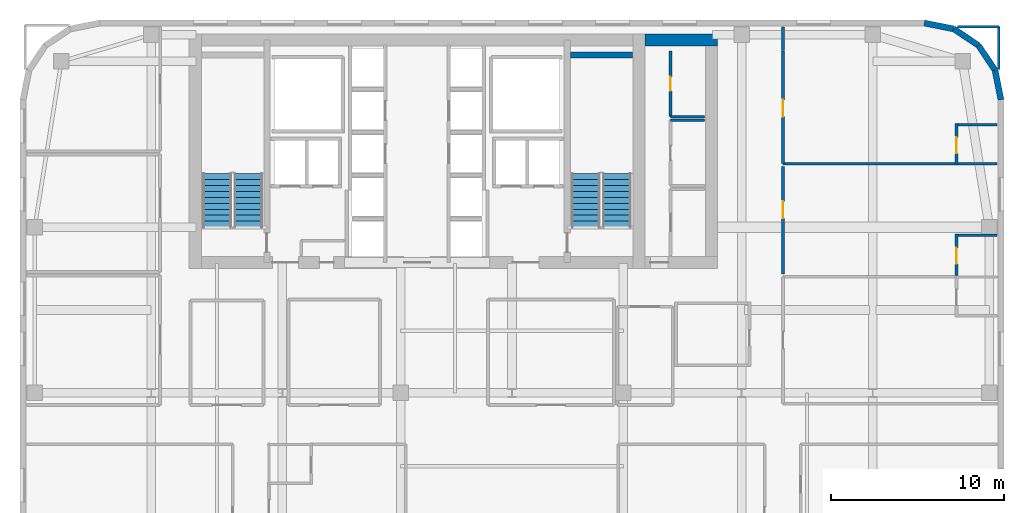
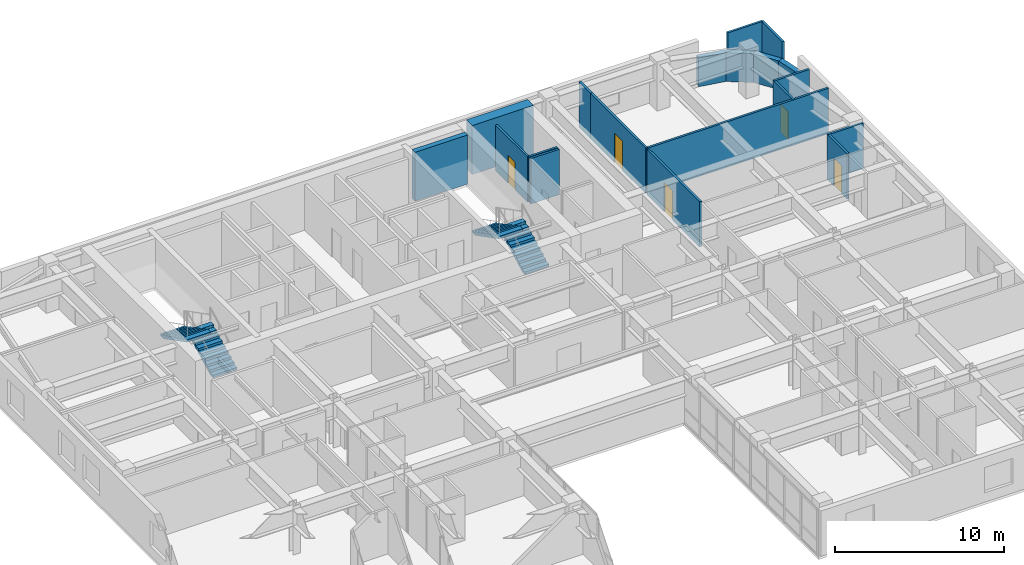
# One storey, part 14 of 15: 19 walls, 5 doors, 4 stair flights, 5 openings, 2 elements without a shape of their own.
"""IFC4 building model written with IfcOpenShell, lengths in metres."""

from ifc_helpers import new_model, si_unit, direction, frame, frame_2d, origin, place, context, subcontext, project, spatial, polyline, rectangle, outline, extrude, source, transform, mapped, material, layer, layer_set, type_object, type_shapes, element, fill, aggregate, save


model = new_model("IFC4")

# Units and contexts
model_context = context("Model", 3, precision=1e-05, world=origin(), true_north=direction((0.0, 1.0)))
body_context = subcontext(model_context, "Body", "Model", "MODEL_VIEW")
ifc_project = project(units=[si_unit("LENGTHUNIT", "METRE"), si_unit("AREAUNIT", "SQUARE_METRE"), si_unit("VOLUMEUNIT", "CUBIC_METRE"), si_unit("PLANEANGLEUNIT", "RADIAN"), si_unit("MASSUNIT", "GRAM", prefix="KILO")], contexts=[model_context])

# Site, building, storey
site_placement = place(None, origin())
site = spatial("IfcSite", under=ifc_project, at=site_placement, CompositionType="ELEMENT")
building_placement = place(site_placement, origin())
building = spatial("IfcBuilding", under=site, at=building_placement, Name="Tolvann Quenvar Hotel", CompositionType="ELEMENT")
storey_placement = place(building_placement, frame((0.0, 0.0, 143.5)))
storey = spatial("IfcBuildingStorey", under=building, at=storey_placement, Name="L37", CompositionType="ELEMENT", Elevation=143.5)

# Walls
ifc_material_1 = material(Name="Concrete S65 (65 MPa)", Category="concrete")
ifc_layer_1 = layer(ifc_material_1, 0.699951171875)
ifc_layer_set_1 = layer_set([ifc_layer_1], Name="Concrete S65 (65 MPa)")
wall_type_1 = type_object("IfcWallType", Name="WALL_CORE_700", PredefinedType="SHEAR", material=ifc_layer_set_1)
wall_1_placement = place(storey_placement, frame((36.199951171875, 44.85009765625, 0.0), z_axis=(0.0, 0.0, 1.0), x_axis=(1.0, 0.0, 0.0)))
element("IfcWall", 1, at=wall_1_placement, inside=storey, type_object=wall_type_1, Name="Core East Annex Shear Wall ANN-N (L37)", PredefinedType="SHEAR", context=body_context, shape_type="SweptSolid", body=[
    extrude(rectangle(XDim=4.199951171875, YDim=0.699951171875, at=frame_2d((2.10009765625, 0.0))), origin(), (0.0, 0.0, 1.0), 3.550048828125),
])
ifc_layer_2 = layer(ifc_material_1, 0.35009765625)
ifc_layer_set_2 = layer_set([ifc_layer_2], Name="Concrete S65 (65 MPa)")
wall_type_2 = type_object("IfcWallType", Name="WALL_CORE_INT_350", PredefinedType="SHEAR", material=ifc_layer_set_2)
wall_2_placement = place(storey_placement, frame((31.8798828125, 43.97509765625, 0.0), z_axis=(0.0, 0.0, 1.0), x_axis=(1.0, 0.0, 0.0)))
element("IfcWall", 2, at=wall_2_placement, inside=storey, type_object=wall_type_2, Name="Core Stair North Closing Shear Wall STC2-N (L37)", PredefinedType="SHEAR", context=body_context, shape_type="SweptSolid", body=[
    extrude(rectangle(XDim=3.60009765625, YDim=0.35009765625, at=frame_2d((1.800048828125, 0.0))), origin(), (0.0, 0.0, 1.0), 3.550048828125),
])
ifc_material_2 = material(Name="Kiln-fired red and buff architectural clay brickwork and terracotta masonry", Category="masonry")
ifc_layer_3 = layer(ifc_material_2, 0.35009765625)
ifc_layer_set_3 = layer_set([ifc_layer_3], Name="Kiln-fired red and buff architectural clay brickwork and terracotta masonry")
wall_type_3 = type_object("IfcWallType", Name="WALL_EXT_BRICK_350", PredefinedType="SOLIDWALL", material=ifc_layer_set_3)
wall_3_placement = place(storey_placement, frame((56.824951171875, 41.3828125, 0.0), z_axis=(0.0, 0.0, 1.0), x_axis=(-0.195011420161, 0.980800971659, 0.0)))
element("IfcWall", 3, at=wall_3_placement, inside=storey, type_object=wall_type_3, Name="Exterior Chicago Brick Wall L37-E14", PredefinedType="SOLIDWALL", context=body_context, shape_type="SweptSolid", body=[
    extrude(rectangle(XDim=1.74267578125, YDim=0.35009765625, at=frame_2d((0.871337890625, 0.0))), origin(), (0.0, 0.0, 1.0), 2.080078125),
])
for number, where, z_axis, x_axis, name in (
    (4, (56.485107421875, 43.092041015625, 0.0), (0.0, 0.0, 1.0), (-0.55554893791, 0.831483840845, 0.0), "Exterior Chicago Brick Wall L37-E15"),
    (5, (55.526611328125, 44.526611328125, 0.0), (0.0, 0.0, 1.0), (-0.831483840845, 0.55554893791, 0.0), "Exterior Chicago Brick Wall L37-E16"),
):
    element("IfcWall", number, at=place(storey_placement, frame(where, z_axis=z_axis, x_axis=x_axis)), inside=storey, type_object=wall_type_3, Name=name, PredefinedType="SOLIDWALL", context=body_context, shape_type="SweptSolid", body=[
        extrude(rectangle(XDim=1.725341796875, YDim=0.35009765625, at=frame_2d((0.86279296875, 0.0))), origin(), (0.0, 0.0, 1.0), 2.080078125),
    ])
wall_4_placement = place(storey_placement, frame((54.092041015625, 45.485107421875, 0.0), z_axis=(0.0, 0.0, 1.0), x_axis=(-0.980800971659, 0.195011420161, 0.0)))
element("IfcWall", 6, at=wall_4_placement, inside=storey, type_object=wall_type_3, Name="Exterior Chicago Brick Wall L37-E17", PredefinedType="SOLIDWALL", context=body_context, shape_type="SweptSolid", body=[
    extrude(rectangle(XDim=1.74267578125, YDim=0.35009765625, at=frame_2d((0.871337890625, 0.0))), origin(), (0.0, 0.0, 1.0), 2.080078125),
])

# Wall, opening, door
ifc_material_3 = material(Name="Acoustic twin-stud fire-rated gypsum plasterboard partition")
ifc_layer_4 = layer(ifc_material_3, 0.14990234375)
ifc_layer_set_4 = layer_set([ifc_layer_4], Name="Acoustic twin-stud fire-rated gypsum plasterboard partition")
wall_type_4 = type_object("IfcWallType", Name="WALL_PART_SUITE_150", PredefinedType="PARTITIONING", material=ifc_layer_set_4)
wall_5_placement = place(storey_placement, frame((54.25, 31.2099609375, 0.0), z_axis=(0.0, 0.0, 1.0), x_axis=(0.0, 1.0, 0.0)))
wall_5 = element("IfcWall", 7, at=wall_5_placement, inside=storey, type_object=wall_type_4, Name="Interior Partition PT-SPC-L37-ENS-NE02-ENT", PredefinedType="PARTITIONING", context=body_context, shape_type="SweptSolid", body=[
    extrude(rectangle(XDim=2.39013671875, YDim=0.14990234375, at=frame_2d((1.195068359375, 0.0))), origin(), (0.0, 0.0, 1.0), 3.2900390625),
])
opening_1_placement = place(wall_5_placement, frame((0.6650390625, 0.0, 0.0)))
opening_1 = element("IfcOpeningElement", 8, at=opening_1_placement, cuts=wall_5, Name="Opening WD-01", PredefinedType="OPENING", context=body_context, shape_type="SweptSolid", body=[
    extrude(rectangle(XDim=0.919921875, YDim=2.010009765625, at=frame_2d((0.4599609375, 1.0048828125))), frame((0.0, 0.0849609375, 0.0), z_axis=(0.0, -1.0, 0.0), x_axis=(1.0, 0.0, 0.0)), (0.0, 0.0, 1.0), 0.169921875),
])
ifc_material_4 = material(Name="Solid-core American oak acoustic fire door leaf in steel frame", Category="steel")
door_type_1 = type_object("IfcDoorType", Name="DOOR_WC_920", OperationType="NOTDEFINED", PredefinedType="DOOR", material=ifc_material_4)
shared_shape_1 = source(origin(), body_context, "Body", "SweptSolid", [
    extrude(rectangle(XDim=0.919921875, YDim=2.010009765625, at=frame_2d((0.4599609375, 1.0048828125))), frame((0.0, 0.02490234375, 0.0), z_axis=(0.0, -1.0, 0.0), x_axis=(1.0, 0.0, 0.0)), (0.0, 0.0, 1.0), 0.050048828125),
])
type_shapes(door_type_1, [shared_shape_1])
door_1_placement = place(opening_1_placement, origin())
door_1 = element("IfcDoor", 9, at=door_1_placement, inside=storey, type_object=door_type_1, Name="Interior Door DOOR-SPC-L37-ENS-NE02", OperationType="SINGLE_SWING_RIGHT", OverallHeight=2.010009765625, OverallWidth=0.919921875, PredefinedType="DOOR", context=body_context, shape_type="MappedRepresentation", body=[
    mapped(shared_shape_1, transform((0.0, 0.0, 0.0), x_axis=(1.0, 0.0, 0.0), y_axis=(0.0, 1.0, 0.0), z_axis=(0.0, 0.0, 1.0), scale=1.0)),
])
fill(opening_1, door_1)

# Wall
wall_6_placement = place(storey_placement, frame((54.179931640625, 33.530029296875, 0.0), z_axis=(0.0, 0.0, 1.0), x_axis=(1.0, 0.0, 0.0)))
element("IfcWall", 10, at=wall_6_placement, inside=storey, type_object=wall_type_4, Name="Interior Partition PT-SPC-L37-ENS-NE02-N", PredefinedType="PARTITIONING", context=body_context, shape_type="SweptSolid", body=[
    extrude(rectangle(XDim=2.4150390625, YDim=0.14990234375, at=frame_2d((1.20751953125, 0.0))), origin(), (0.0, 0.0, 1.0), 3.2900390625),
])

# Wall, opening, door
wall_7_placement = place(storey_placement, frame((54.25, 37.610107421875, 0.0), z_axis=(0.0, 0.0, 1.0), x_axis=(0.0, 1.0, 0.0)))
wall_7 = element("IfcWall", 11, at=wall_7_placement, inside=storey, type_object=wall_type_4, Name="Interior Partition PT-SPC-L37-ENS-NE03-ENT", PredefinedType="PARTITIONING", context=body_context, shape_type="SweptSolid", body=[
    extrude(rectangle(XDim=2.389892578125, YDim=0.14990234375, at=frame_2d((1.19482421875, 0.0))), origin(), (0.0, 0.0, 1.0), 3.2900390625),
])
opening_2_placement = place(wall_7_placement, frame((0.6650390625, 0.0, 0.0)))
opening_2 = element("IfcOpeningElement", 12, at=opening_2_placement, cuts=wall_7, Name="Opening WD-01", PredefinedType="OPENING", context=body_context, shape_type="SweptSolid", body=[
    extrude(rectangle(XDim=0.919921875, YDim=2.010009765625, at=frame_2d((0.4599609375, 1.0048828125))), frame((0.0, 0.0849609375, 0.0), z_axis=(0.0, -1.0, 0.0), x_axis=(1.0, 0.0, 0.0)), (0.0, 0.0, 1.0), 0.169921875),
])
door_2_placement = place(opening_2_placement, origin())
door_2 = element("IfcDoor", 13, at=door_2_placement, inside=storey, type_object=door_type_1, Name="Interior Door DOOR-SPC-L37-ENS-NE03", OperationType="SINGLE_SWING_LEFT", OverallHeight=2.010009765625, OverallWidth=0.919921875, PredefinedType="DOOR", context=body_context, shape_type="MappedRepresentation", body=[
    mapped(shared_shape_1, transform((0.0, 0.0, 0.0), x_axis=(1.0, 0.0, 0.0), y_axis=(0.0, 1.0, 0.0), z_axis=(0.0, 0.0, 1.0), scale=1.0)),
])
fill(opening_2, door_2)

# Walls
wall_8_placement = place(storey_placement, frame((44.199951171875, 37.679931640625, 0.0), z_axis=(0.0, 0.0, 1.0), x_axis=(1.0, 0.0, 0.0)))
element("IfcWall", 14, at=wall_8_placement, inside=storey, type_object=wall_type_4, Name="Interior Partition PT-SPC-L37-ENS-NE03-S", PredefinedType="PARTITIONING", context=body_context, shape_type="SweptSolid", body=[
    extrude(rectangle(XDim=12.39501953125, YDim=0.14990234375, at=frame_2d((6.197509765625, 0.0))), origin(), (0.0, 0.0, 1.0), 3.2900390625),
])
wall_9_placement = place(storey_placement, frame((54.179931640625, 39.929931640625, 0.0), z_axis=(0.0, 0.0, 1.0), x_axis=(1.0, 0.0, 0.0)))
element("IfcWall", 15, at=wall_9_placement, inside=storey, type_object=wall_type_4, Name="Interior Partition PT-SPC-L37-ENS-NE03-N", PredefinedType="PARTITIONING", context=body_context, shape_type="SweptSolid", body=[
    extrude(rectangle(XDim=2.4150390625, YDim=0.14990234375, at=frame_2d((1.20751953125, 0.0))), origin(), (0.0, 0.0, 1.0), 3.2900390625),
])
for number, where, z_axis, x_axis, name in (
    (16, (37.679931640625, 40.199951171875, 0.0), (0.0, 0.0, 1.0), (1.0, 0.0, 0.0), "Interior Partition PT-SPC-L37-CSE-1-N"),
    (17, (37.679931640625, 40.39990234375, 0.0), (0.0, 0.0, 1.0), (1.0, 0.0, 0.0), "Interior Partition PT-SPC-L37-CSE-2-S"),
):
    element("IfcWall", number, at=place(storey_placement, frame(where, z_axis=z_axis, x_axis=x_axis)), inside=storey, type_object=wall_type_4, Name=name, PredefinedType="PARTITIONING", context=body_context, shape_type="SweptSolid", body=[
        extrude(rectangle(XDim=1.965087890625, YDim=0.14990234375, at=frame_2d((0.982421875, 0.0))), origin(), (0.0, 0.0, 1.0), 3.2900390625),
    ])

# Wall, opening, door
wall_10_placement = place(storey_placement, frame((37.679931640625, 40.39990234375, 0.0), z_axis=(0.0, 0.0, 1.0), x_axis=(0.0, 1.0, 0.0)))
wall_10 = element("IfcWall", 18, at=wall_10_placement, inside=storey, type_object=wall_type_4, Name="Interior Partition PT-SPC-L37-CSE-2-W", PredefinedType="PARTITIONING", context=body_context, shape_type="SweptSolid", body=[
    extrude(rectangle(XDim=3.800048828125, YDim=0.14990234375, at=frame_2d((1.89990234375, 0.0))), origin(), (0.0, 0.0, 1.0), 3.2900390625),
])
opening_3_placement = place(wall_10_placement, frame((1.489990234375, 0.0, 0.0)))
opening_3 = element("IfcOpeningElement", 19, at=opening_3_placement, cuts=wall_10, Name="Opening HD-02", PredefinedType="OPENING", context=body_context, shape_type="SweptSolid", body=[
    extrude(rectangle(XDim=0.820068359375, YDim=2.010009765625, at=frame_2d((0.41015625, 1.0048828125))), frame((0.0, 0.0849609375, 0.0), z_axis=(0.0, -1.0, 0.0), x_axis=(1.0, 0.0, 0.0)), (0.0, 0.0, 1.0), 0.169921875),
])
ifc_material_5 = material(Name="Pressed galvanised steel fire-rated door set", Category="steel")
door_type_2 = type_object("IfcDoorType", Name="DOOR_STORE_820", OperationType="NOTDEFINED", PredefinedType="DOOR", material=ifc_material_5)
shared_shape_2 = source(origin(), body_context, "Body", "SweptSolid", [
    extrude(rectangle(XDim=0.820068359375, YDim=2.010009765625, at=frame_2d((0.41015625, 1.0048828125))), frame((0.0, 0.02490234375, 0.0), z_axis=(0.0, -1.0, 0.0), x_axis=(1.0, 0.0, 0.0)), (0.0, 0.0, 1.0), 0.050048828125),
])
type_shapes(door_type_2, [shared_shape_2])
door_3_placement = place(opening_3_placement, origin())
door_3 = element("IfcDoor", 20, at=door_3_placement, inside=storey, type_object=door_type_2, Name="Interior Door DOOR-SPC-L37-CSE-2", OperationType="SINGLE_SWING_RIGHT", OverallHeight=2.010009765625, OverallWidth=0.820068359375, PredefinedType="DOOR", context=body_context, shape_type="MappedRepresentation", body=[
    mapped(shared_shape_2, transform((0.0, 0.0, 0.0), x_axis=(1.0, 0.0, 0.0), y_axis=(0.0, 1.0, 0.0), z_axis=(0.0, 0.0, 1.0), scale=1.0)),
])
fill(opening_3, door_3)

wall_11_placement = place(storey_placement, frame((44.199951171875, 31.280029296875, 0.0), z_axis=(0.0, 0.0, 1.0), x_axis=(0.0, 1.0, 0.0)))
wall_11 = element("IfcWall", 21, at=wall_11_placement, inside=storey, type_object=wall_type_4, Name="Interior Partition PT-SPC-L37-RM-NE02-ENT", PredefinedType="PARTITIONING", context=body_context, shape_type="SweptSolid", body=[
    extrude(rectangle(XDim=6.239990234375, YDim=0.14990234375, at=frame_2d((3.1201171875, 0.0))), origin(), (0.0, 0.0, 1.0), 3.2900390625),
])
opening_4_placement = place(wall_11_placement, frame((3.22998046875, 0.0, 0.0)))
opening_4 = element("IfcOpeningElement", 22, at=opening_4_placement, cuts=wall_11, Name="Opening SD-01", PredefinedType="OPENING", context=body_context, shape_type="SweptSolid", body=[
    extrude(rectangle(XDim=0.97998046875, YDim=2.1201171875, at=frame_2d((0.489990234375, 1.06005859375))), frame((0.0, 0.0849609375, 0.0), z_axis=(0.0, -1.0, 0.0), x_axis=(1.0, 0.0, 0.0)), (0.0, 0.0, 1.0), 0.169921875),
])
door_type_3 = type_object("IfcDoorType", Name="DOOR_SUITE_980", OperationType="NOTDEFINED", PredefinedType="DOOR", material=ifc_material_4)
shared_shape_3 = source(origin(), body_context, "Body", "SweptSolid", [
    extrude(rectangle(XDim=0.97998046875, YDim=2.1201171875, at=frame_2d((0.489990234375, 1.06005859375))), frame((0.0, 0.02490234375, 0.0), z_axis=(0.0, -1.0, 0.0), x_axis=(1.0, 0.0, 0.0)), (0.0, 0.0, 1.0), 0.050048828125),
])
type_shapes(door_type_3, [shared_shape_3])
door_4_placement = place(opening_4_placement, origin())
door_4 = element("IfcDoor", 23, at=door_4_placement, inside=storey, type_object=door_type_3, Name="Interior Door DOOR-SPC-L37-RM-NE02", OperationType="SINGLE_SWING_RIGHT", OverallHeight=2.1201171875, OverallWidth=0.97998046875, PredefinedType="DOOR", context=body_context, shape_type="MappedRepresentation", body=[
    mapped(shared_shape_3, transform((0.0, 0.0, 0.0), x_axis=(1.0, 0.0, 0.0), y_axis=(0.0, 1.0, 0.0), z_axis=(0.0, 0.0, 1.0), scale=1.0)),
])
fill(opening_4, door_4)

wall_12_placement = place(storey_placement, frame((44.199951171875, 37.679931640625, 0.0), z_axis=(0.0, 0.0, 1.0), x_axis=(0.0, 1.0, 0.0)))
wall_12 = element("IfcWall", 24, at=wall_12_placement, inside=storey, type_object=wall_type_4, Name="Interior Partition PT-SPC-L37-RM-NE03-ENT", PredefinedType="PARTITIONING", context=body_context, shape_type="SweptSolid", body=[
    extrude(rectangle(XDim=6.530029296875, YDim=0.14990234375, at=frame_2d((3.26513671875, 0.0))), origin(), (0.0, 0.0, 1.0), 3.2900390625),
])
opening_5_placement = place(wall_12_placement, frame((2.719970703125, 0.0, 0.0)))
opening_5 = element("IfcOpeningElement", 25, at=opening_5_placement, cuts=wall_12, Name="Opening SD-01", PredefinedType="OPENING", context=body_context, shape_type="SweptSolid", body=[
    extrude(rectangle(XDim=0.97998046875, YDim=2.1201171875, at=frame_2d((0.489990234375, 1.06005859375))), frame((0.0, 0.0849609375, 0.0), z_axis=(0.0, -1.0, 0.0), x_axis=(1.0, 0.0, 0.0)), (0.0, 0.0, 1.0), 0.169921875),
])
door_5_placement = place(opening_5_placement, origin())
door_5 = element("IfcDoor", 26, at=door_5_placement, inside=storey, type_object=door_type_3, Name="Interior Door DOOR-SPC-L37-RM-NE03", OperationType="SINGLE_SWING_LEFT", OverallHeight=2.1201171875, OverallWidth=0.97998046875, PredefinedType="DOOR", context=body_context, shape_type="MappedRepresentation", body=[
    mapped(shared_shape_3, transform((0.0, 0.0, 0.0), x_axis=(1.0, 0.0, 0.0), y_axis=(0.0, 1.0, 0.0), z_axis=(0.0, 0.0, 1.0), scale=1.0)),
])
fill(opening_5, door_5)

# Walls
wall_13_placement = place(storey_placement, frame((56.699951171875, 43.135009765625, 0.0), z_axis=(0.0, 0.0, 1.0), x_axis=(0.0, 1.0, 0.0)))
element("IfcWall", 27, at=wall_13_placement, inside=storey, type_object=wall_type_4, Name="Interior Partition PT-SPC-L37-RM-NE03-E4", PredefinedType="PARTITIONING", context=body_context, shape_type="SweptSolid", body=[
    extrude(rectangle(XDim=2.485107421875, YDim=0.14990234375, at=frame_2d((1.24267578125, 0.0))), origin(), (0.0, 0.0, 1.0), 3.2900390625),
])
wall_14_placement = place(storey_placement, frame((54.303955078125, 45.6201171875, 0.0), z_axis=(0.0, 0.0, 1.0), x_axis=(1.0, 0.0, 0.0)))
element("IfcWall", 28, at=wall_14_placement, inside=storey, type_object=wall_type_4, Name="Interior Partition PT-SPC-L37-RM-NE03-E5", PredefinedType="PARTITIONING", context=body_context, shape_type="SweptSolid", body=[
    extrude(rectangle(XDim=2.39599609375, YDim=0.14990234375, at=frame_2d((1.197998046875, 0.0))), origin(), (0.0, 0.0, 1.0), 3.2900390625),
])
wall_15_placement = place(storey_placement, frame((44.199951171875, 44.219970703125, 0.0), z_axis=(0.0, 0.0, 1.0), x_axis=(0.0, 1.0, 0.0)))
element("IfcWall", 29, at=wall_15_placement, inside=storey, type_object=wall_type_4, Name="Interior Partition PT-SPC-L37-RM-NE03-E6", PredefinedType="PARTITIONING", context=body_context, shape_type="SweptSolid", body=[
    extrude(rectangle(XDim=1.375, YDim=0.14990234375, at=frame_2d((0.6875, 0.0))), origin(), (0.0, 0.0, 1.0), 3.2900390625),
])

# Stair, stair flights
ifc_material_6 = material(Name="Concrete N40 (40 MPa)", Category="concrete")
stair_type = type_object("IfcStairType", Name="STAIR", PredefinedType="HALF_TURN_STAIR", material=ifc_material_6)
stair_1_placement = place(storey_placement, origin())
stair_1 = element("IfcStair", 30, at=stair_1_placement, inside=storey, type_object=stair_type, Name="L37 ST-C1", PredefinedType="HALF_TURN_STAIR")
stair_flight_type = type_object("IfcStairFlightType", Name="STAIR_FLIGHT", PredefinedType="STRAIGHT", material=ifc_material_6)
stair_flight_1_placement = place(storey_placement, frame((13.22509765625, 34.0, 0.0), z_axis=(0.0, 0.0, 1.0), x_axis=(0.0, 1.0, 0.0)))
stair_flight_1 = element("IfcStairFlight", 31, at=stair_flight_1_placement, type_object=stair_flight_type, Name="ST-C1 flight 1", NumberOfRisers=10, NumberOfTreads=9, PredefinedType="STRAIGHT", RiserHeight=0.1775, TreadLength=0.345, context=body_context, shape_type="SweptSolid", body=[
    extrude(outline(polyline([(0.0, 0.0), (0.0, 0.177490234375), (0.344970703125, 0.177490234375), (0.344970703125, 0.35498046875), (0.68994140625, 0.35498046875), (0.68994140625, 0.532470703125), (1.034912109375, 0.532470703125), (1.034912109375, 0.7099609375), (1.3798828125, 0.7099609375), (1.3798828125, 0.887451171875), (1.72509765625, 0.887451171875), (1.72509765625, 1.06494140625), (2.070068359375, 1.06494140625), (2.070068359375, 1.242431640625), (2.4150390625, 1.242431640625), (2.4150390625, 1.419921875), (2.760009765625, 1.419921875), (2.760009765625, 1.597412109375), (3.10498046875, 1.597412109375), (3.10498046875, 1.77490234375), (3.10498046875, 1.428955078125), (0.32763671875, 0.0), (0.0, 0.0)])), frame((0.0, 0.824951171875, 0.0), z_axis=(0.0, -1.0, 0.0), x_axis=(1.0, 0.0, 0.0)), (0.0, 0.0, 1.0), 1.64990234375),
])
stair_flight_2_placement = place(storey_placement, frame((11.425048828125, 37.10498046875, 1.77490234375), z_axis=(0.0, 0.0, 1.0), x_axis=(0.0, -1.0, 0.0)))
stair_flight_2 = element("IfcStairFlight", 32, at=stair_flight_2_placement, type_object=stair_flight_type, Name="ST-C1 flight 2", NumberOfRisers=10, NumberOfTreads=9, PredefinedType="STRAIGHT", RiserHeight=0.1775, TreadLength=0.345, context=body_context, shape_type="SweptSolid", body=[
    extrude(outline(polyline([(0.0, 0.0), (0.0, 0.177490234375), (0.344970703125, 0.177490234375), (0.344970703125, 0.35498046875), (0.68994140625, 0.35498046875), (0.68994140625, 0.532470703125), (1.034912109375, 0.532470703125), (1.034912109375, 0.7099609375), (1.3798828125, 0.7099609375), (1.3798828125, 0.887451171875), (1.72509765625, 0.887451171875), (1.72509765625, 1.06494140625), (2.070068359375, 1.06494140625), (2.070068359375, 1.242431640625), (2.4150390625, 1.242431640625), (2.4150390625, 1.419921875), (2.760009765625, 1.419921875), (2.760009765625, 1.597412109375), (3.10498046875, 1.597412109375), (3.10498046875, 1.77490234375), (3.10498046875, 1.428955078125), (0.32763671875, 0.0), (0.0, 0.0)])), frame((0.0, 0.824951171875, 0.0), z_axis=(0.0, -1.0, 0.0), x_axis=(1.0, 0.0, 0.0)), (0.0, 0.0, 1.0), 1.64990234375),
])
aggregate(stair_1, [stair_flight_1, stair_flight_2])

stair_2_placement = place(storey_placement, origin())
stair_2 = element("IfcStair", 33, at=stair_2_placement, inside=storey, type_object=stair_type, Name="L37 ST-C2", PredefinedType="HALF_TURN_STAIR")
stair_flight_3_placement = place(storey_placement, frame((34.574951171875, 34.0, 0.0), z_axis=(0.0, 0.0, 1.0), x_axis=(0.0, 1.0, 0.0)))
stair_flight_3 = element("IfcStairFlight", 34, at=stair_flight_3_placement, type_object=stair_flight_type, Name="ST-C2 flight 1", NumberOfRisers=10, NumberOfTreads=9, PredefinedType="STRAIGHT", RiserHeight=0.1775, TreadLength=0.345, context=body_context, shape_type="SweptSolid", body=[
    extrude(outline(polyline([(0.0, 0.0), (0.0, 0.177490234375), (0.344970703125, 0.177490234375), (0.344970703125, 0.35498046875), (0.68994140625, 0.35498046875), (0.68994140625, 0.532470703125), (1.034912109375, 0.532470703125), (1.034912109375, 0.7099609375), (1.3798828125, 0.7099609375), (1.3798828125, 0.887451171875), (1.72509765625, 0.887451171875), (1.72509765625, 1.06494140625), (2.070068359375, 1.06494140625), (2.070068359375, 1.242431640625), (2.4150390625, 1.242431640625), (2.4150390625, 1.419921875), (2.760009765625, 1.419921875), (2.760009765625, 1.597412109375), (3.10498046875, 1.597412109375), (3.10498046875, 1.77490234375), (3.10498046875, 1.428955078125), (0.32763671875, 0.0), (0.0, 0.0)])), frame((0.0, 0.824951171875, 0.0), z_axis=(0.0, -1.0, 0.0), x_axis=(1.0, 0.0, 0.0)), (0.0, 0.0, 1.0), 1.64990234375),
])
stair_flight_4_placement = place(storey_placement, frame((32.77490234375, 37.10498046875, 1.77490234375), z_axis=(0.0, 0.0, 1.0), x_axis=(0.0, -1.0, 0.0)))
stair_flight_4 = element("IfcStairFlight", 35, at=stair_flight_4_placement, type_object=stair_flight_type, Name="ST-C2 flight 2", NumberOfRisers=10, NumberOfTreads=9, PredefinedType="STRAIGHT", RiserHeight=0.1775, TreadLength=0.345, context=body_context, shape_type="SweptSolid", body=[
    extrude(outline(polyline([(0.0, 0.0), (0.0, 0.177490234375), (0.344970703125, 0.177490234375), (0.344970703125, 0.35498046875), (0.68994140625, 0.35498046875), (0.68994140625, 0.532470703125), (1.034912109375, 0.532470703125), (1.034912109375, 0.7099609375), (1.3798828125, 0.7099609375), (1.3798828125, 0.887451171875), (1.72509765625, 0.887451171875), (1.72509765625, 1.06494140625), (2.070068359375, 1.06494140625), (2.070068359375, 1.242431640625), (2.4150390625, 1.242431640625), (2.4150390625, 1.419921875), (2.760009765625, 1.419921875), (2.760009765625, 1.597412109375), (3.10498046875, 1.597412109375), (3.10498046875, 1.77490234375), (3.10498046875, 1.428955078125), (0.32763671875, 0.0), (0.0, 0.0)])), frame((0.0, 0.824951171875, 0.0), z_axis=(0.0, -1.0, 0.0), x_axis=(1.0, 0.0, 0.0)), (0.0, 0.0, 1.0), 1.64990234375),
])
aggregate(stair_2, [stair_flight_3, stair_flight_4])

save(model, "model.ifc")
